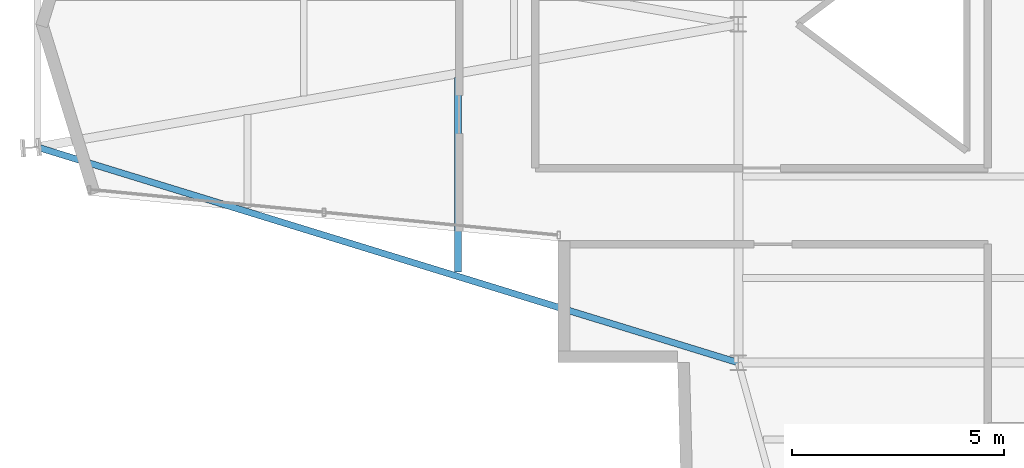
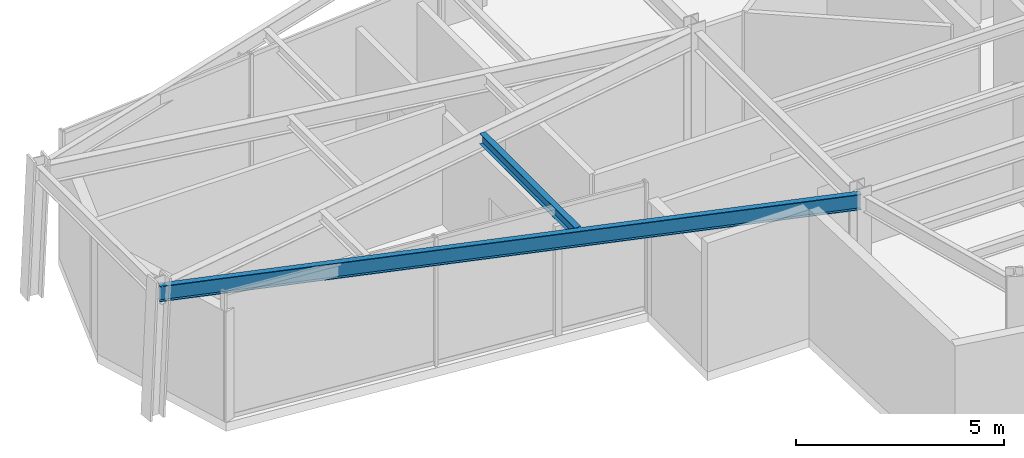
# One storey, part 3 of 20: 2 beams.
"""IFC4 building model written with IfcOpenShell, lengths in metres."""

from ifc_helpers import new_model, si_unit, direction, frame, origin, origin_2d, place, context, subcontext, project, spatial, i_section, extrude, material, material_profile, profile_set, type_object, element, save


model = new_model("IFC4")

# Units and contexts
model_context = context("Model", 3, precision=1e-05, world=origin(), true_north=direction((0.0, 1.0)))
body_context = subcontext(model_context, "Body", "Model", "MODEL_VIEW")
ifc_project = project(units=[si_unit("LENGTHUNIT", "METRE"), si_unit("AREAUNIT", "SQUARE_METRE"), si_unit("VOLUMEUNIT", "CUBIC_METRE"), si_unit("PLANEANGLEUNIT", "RADIAN"), si_unit("MASSUNIT", "GRAM", prefix="KILO")], contexts=[model_context])

# Site, building, storey
site_placement = place(None, origin())
site = spatial("IfcSite", under=ifc_project, at=site_placement, CompositionType="ELEMENT")
building_placement = place(site_placement, origin())
building = spatial("IfcBuilding", under=site, at=building_placement, Name="Veymaron Broadcast Tower", CompositionType="ELEMENT")
storey_placement = place(building_placement, frame((0.0, 0.0, 248.550048828125)))
storey = spatial("IfcBuildingStorey", under=building, at=storey_placement, Name="L58", CompositionType="ELEMENT", Elevation=248.550048828125)

# Beams
ifc_material = material(Name="Structural steel ASTM A992 Gr 50", Category="steel")
ifc_material_profile_1 = material_profile(ifc_material, i_section(OverallWidth=0.1650390625, OverallDepth=0.31005859375, WebThickness=0.005859375, FlangeThickness=0.009765625, at=origin_2d()), Name="W310X39")
ifc_profile_set_1 = profile_set([ifc_material_profile_1], Name="Structural steel ASTM A992 Gr 50")
beam_type_1 = type_object("IfcBeamType", Name="BM-JS3", PredefinedType="JOIST", material=ifc_profile_set_1)
beam_1_placement = place(storey_placement, frame((24.572509765625, 18.137939453125, 3.635009765625), z_axis=(0.0, 1.0, 0.0), x_axis=(-1.0, 0.0, 0.0)))
element("IfcBeam", 1, at=beam_1_placement, inside=storey, type_object=beam_type_1, Name="L58 Arm-A secondary joist 2S", PredefinedType="JOIST", context=body_context, shape_type="SweptSolid", body=[
    extrude(i_section(OverallWidth=0.1650390625, OverallDepth=0.31005859375, WebThickness=0.005859375, FlangeThickness=0.009765625, at=origin_2d()), origin(), (0.0, 0.0, 1.0), 4.60009765625),
])
ifc_material_profile_2 = material_profile(ifc_material, i_section(OverallWidth=0.154052734375, OverallDepth=0.458984375, WebThickness=0.009033203125, FlangeThickness=0.015380859375, at=origin_2d()), Name="W460X68")
ifc_profile_set_2 = profile_set([ifc_material_profile_2], Name="Structural steel ASTM A992 Gr 50")
beam_type_2 = type_object("IfcBeamType", Name="BM-SP2", PredefinedType="SPANDREL", material=ifc_profile_set_2)
beam_2_placement = place(storey_placement, frame((14.631103515625, 21.094970703125, 3.560546875), z_axis=(0.955829849363, -0.293920565914, 0.0), x_axis=(0.293920565914, 0.955829849363, 0.0)))
element("IfcBeam", 2, at=beam_2_placement, inside=storey, type_object=beam_type_2, Name="L58 primary structural floor girder", PredefinedType="SPANDREL", context=body_context, shape_type="SweptSolid", body=[
    extrude(i_section(OverallWidth=0.154052734375, OverallDepth=0.458984375, WebThickness=0.009033203125, FlangeThickness=0.015380859375, at=origin_2d()), origin(), (0.0, 0.0, 1.0), 17.33447265625),
])

save(model, "model.ifc")
